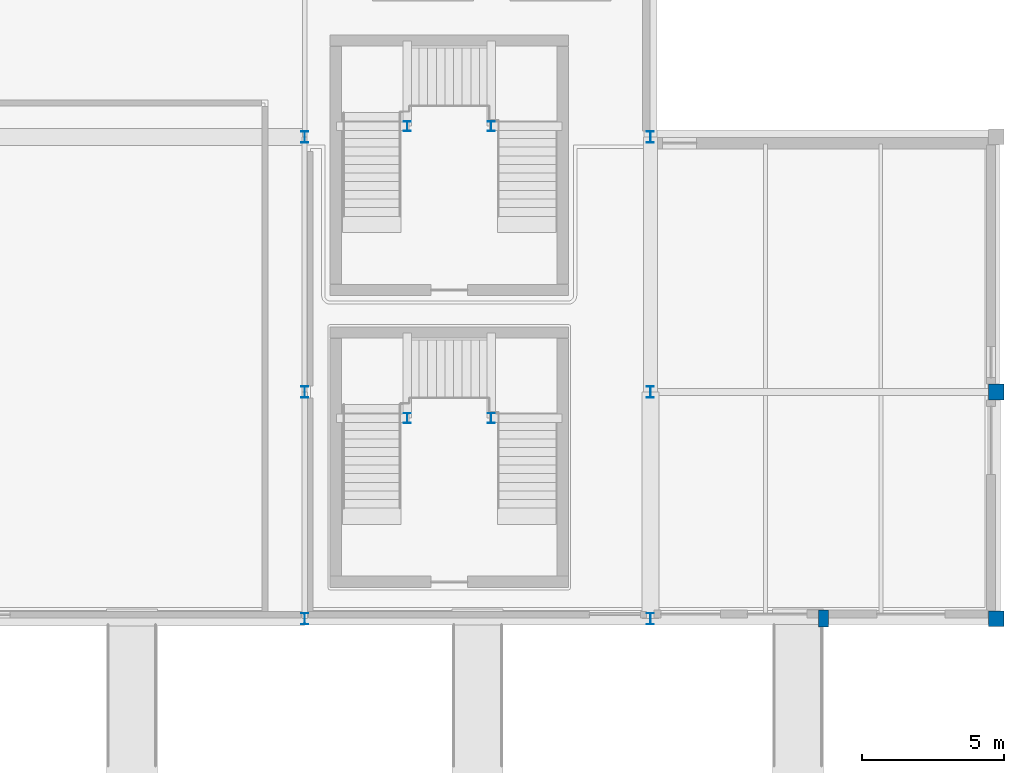
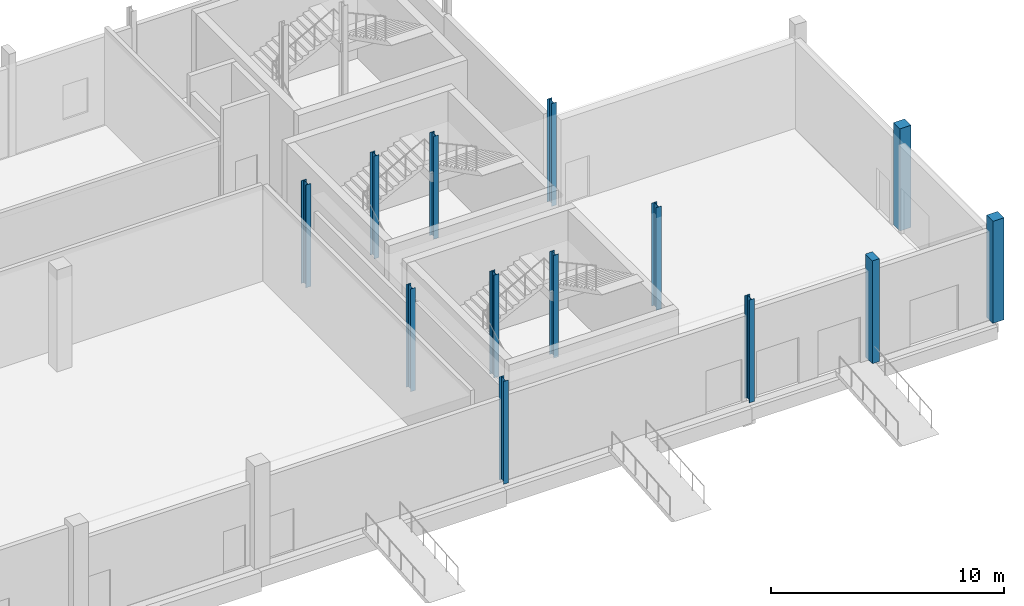
# One storey, part 14 of 57: 13 columns.
"""IFC4 building model written with IfcOpenShell, lengths in metres."""

from ifc_helpers import new_model, si_unit, derived_unit, direction, frame, origin, origin_2d, place, context, subcontext, project, spatial, rectangle, i_section, extrude, material, material_profile, profile_set, type_object, element, save


model = new_model("IFC4")

# Units and contexts
model_context = context("Model", 3, precision=1e-05, world=origin(), true_north=direction((0.0, 1.0)))
body_context = subcontext(model_context, "Body", "Model", "MODEL_VIEW")
ifc_project = project(units=[si_unit("LENGTHUNIT", "METRE"), si_unit("AREAUNIT", "SQUARE_METRE"), si_unit("VOLUMEUNIT", "CUBIC_METRE"), si_unit("PLANEANGLEUNIT", "RADIAN"), si_unit("MASSUNIT", "GRAM", prefix="KILO"), derived_unit("THERMALTRANSMITTANCEUNIT", [(si_unit("POWERUNIT", "WATT"), 1), (si_unit("LENGTHUNIT", "METRE"), -2), (si_unit("THERMODYNAMICTEMPERATUREUNIT", "KELVIN"), -1)])], contexts=[model_context])

# Site, building, storey
site_placement = place(None, origin())
site = spatial("IfcSite", under=ifc_project, at=site_placement, CompositionType="ELEMENT")
building_placement = place(site_placement, origin())
building = spatial("IfcBuilding", under=site, at=building_placement, Name="Nallur Shell Playhouse", CompositionType="ELEMENT")
storey_placement = place(building_placement, origin())
storey = spatial("IfcBuildingStorey", under=building, at=storey_placement, Name="L01", CompositionType="ELEMENT", Elevation=0.0)

# Columns
ifc_material_1 = material(Name="Concrete M35", Category="concrete")
ifc_material_profile_1 = material_profile(ifc_material_1, rectangle(XDim=0.35009765625, YDim=0.60009765625, at=origin_2d()), Name="RC 350x600")
ifc_profile_set_1 = profile_set([ifc_material_profile_1], Name="Concrete M35")
column_type_1 = type_object("IfcColumnType", Name="CL-PIL-350x600", PredefinedType="PILASTER", material=ifc_profile_set_1)
column_placement = place(storey_placement, frame((165.89990234375, 24.0, 0.0), z_axis=(0.0, 0.0, 1.0), x_axis=(1.0, 0.0, 0.0)))
element("IfcColumn", 1, at=column_placement, inside=storey, type_object=column_type_1, Name="Wall pilaster PIL-06 (L01)", PredefinedType="PILASTER", context=body_context, shape_type="SweptSolid", body=[
    extrude(rectangle(XDim=0.35009765625, YDim=0.60009765625, at=origin_2d()), origin(), (0.0, 0.0, 1.0), 5.39990234375),
])
ifc_material_profile_2 = material_profile(ifc_material_1, rectangle(XDim=0.550048828125, YDim=0.550048828125, at=origin_2d()), Name="RC 550x550")
ifc_profile_set_2 = profile_set([ifc_material_profile_2], Name="Concrete M35")
column_type_2 = type_object("IfcColumnType", Name="CL-RC-550", PredefinedType="COLUMN", material=ifc_profile_set_2)
for number, where, z_axis, x_axis, name in (
    (2, (172.0, 24.0, 0.0), (0.0, 0.0, 1.0), (1.0, 0.0, 0.0), "Column 20-C (L01)"),
    (3, (172.0, 32.0, 0.0), (0.0, 0.0, 1.0), (1.0, 0.0, 0.0), "Column 20-D (L01)"),
):
    element("IfcColumn", number, at=place(storey_placement, frame(where, z_axis=z_axis, x_axis=x_axis)), inside=storey, type_object=column_type_2, Name=name, PredefinedType="COLUMN", context=body_context, shape_type="SweptSolid", body=[
        extrude(rectangle(XDim=0.550048828125, YDim=0.550048828125, at=origin_2d()), origin(), (0.0, 0.0, 1.0), 5.360107421875),
    ])
ifc_material_2 = material(Name="Steel E350", Category="steel")
ifc_material_profile_3 = material_profile(ifc_material_2, i_section(OverallWidth=0.25, OverallDepth=0.35009765625, WebThickness=0.010009765625, FlangeThickness=0.01171875, FilletRadius=0.011962890625, at=origin_2d()), Name="ISHB 350")
ifc_profile_set_3 = profile_set([ifc_material_profile_3], Name="Steel E350")
column_type_3 = type_object("IfcColumnType", Name="CL-ST-ISHB350", PredefinedType="COLUMN", material=ifc_profile_set_3)
for number, where, z_axis, x_axis, name in (
    (4, (151.219970703125, 31.080078125, 0.0), (0.0, 0.0, 1.0), (1.0, 0.0, 0.0), "Column STW-JC-8-W (L01)"),
    (5, (154.179931640625, 31.080078125, 0.0), (0.0, 0.0, 1.0), (1.0, 0.0, 0.0), "Column STW-JC-8-E (L01)"),
    (6, (151.219970703125, 41.3798828125, 0.0), (0.0, 0.0, 1.0), (1.0, 0.0, 0.0), "Column STW-JC-9-W (L01)"),
    (7, (154.179931640625, 41.3798828125, 0.0), (0.0, 0.0, 1.0), (1.0, 0.0, 0.0), "Column STW-JC-9-E (L01)"),
):
    element("IfcColumn", number, at=place(storey_placement, frame(where, z_axis=z_axis, x_axis=x_axis)), inside=storey, type_object=column_type_3, Name=name, PredefinedType="COLUMN", context=body_context, shape_type="SweptSolid", body=[
        extrude(i_section(OverallWidth=0.25, OverallDepth=0.35009765625, WebThickness=0.010009765625, FlangeThickness=0.01171875, FilletRadius=0.011962890625, at=origin_2d()), origin(), (0.0, 0.0, 1.0), 5.39990234375),
    ])
ifc_material_profile_4 = material_profile(ifc_material_2, i_section(OverallWidth=0.25, OverallDepth=0.39990234375, WebThickness=0.010498046875, FlangeThickness=0.0126953125, FilletRadius=0.013916015625, at=origin_2d()), Name="ISHB 400")
ifc_profile_set_4 = profile_set([ifc_material_profile_4], Name="Steel E350")
column_type_4 = type_object("IfcColumnType", Name="CL-ST-ISHB400", PredefinedType="COLUMN", material=ifc_profile_set_4)
for number, where, z_axis, x_axis, name in (
    (8, (147.60009765625, 24.0, 0.0), (0.0, 0.0, 1.0), (1.0, 0.0, 0.0), "Column 18-C (L01)"),
    (9, (147.60009765625, 32.0, 0.0), (0.0, 0.0, 1.0), (1.0, 0.0, 0.0), "Column 18-D (L01)"),
    (10, (147.60009765625, 41.0, 0.0), (0.0, 0.0, 1.0), (1.0, 0.0, 0.0), "Column 18-E (L01)"),
    (11, (159.800048828125, 24.0, 0.0), (0.0, 0.0, 1.0), (1.0, 0.0, 0.0), "Column 19-C (L01)"),
    (12, (159.800048828125, 32.0, 0.0), (0.0, 0.0, 1.0), (1.0, 0.0, 0.0), "Column 19-D (L01)"),
    (13, (159.800048828125, 41.0, 0.0), (0.0, 0.0, 1.0), (1.0, 0.0, 0.0), "Column 19-E (L01)"),
):
    element("IfcColumn", number, at=place(storey_placement, frame(where, z_axis=z_axis, x_axis=x_axis)), inside=storey, type_object=column_type_4, Name=name, PredefinedType="COLUMN", context=body_context, shape_type="SweptSolid", body=[
        extrude(i_section(OverallWidth=0.25, OverallDepth=0.39990234375, WebThickness=0.010498046875, FlangeThickness=0.0126953125, FilletRadius=0.013916015625, at=origin_2d()), origin(), (0.0, 0.0, 1.0), 5.39990234375),
    ])

save(model, "model.ifc")
